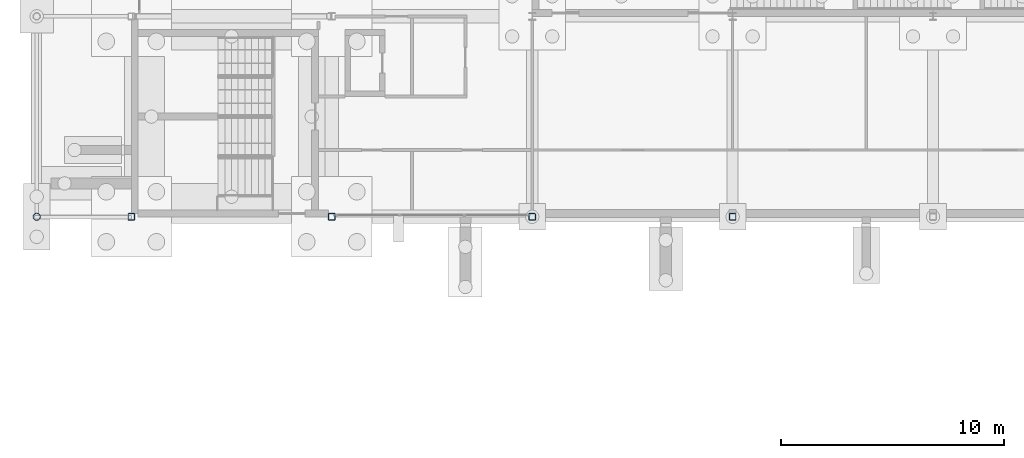
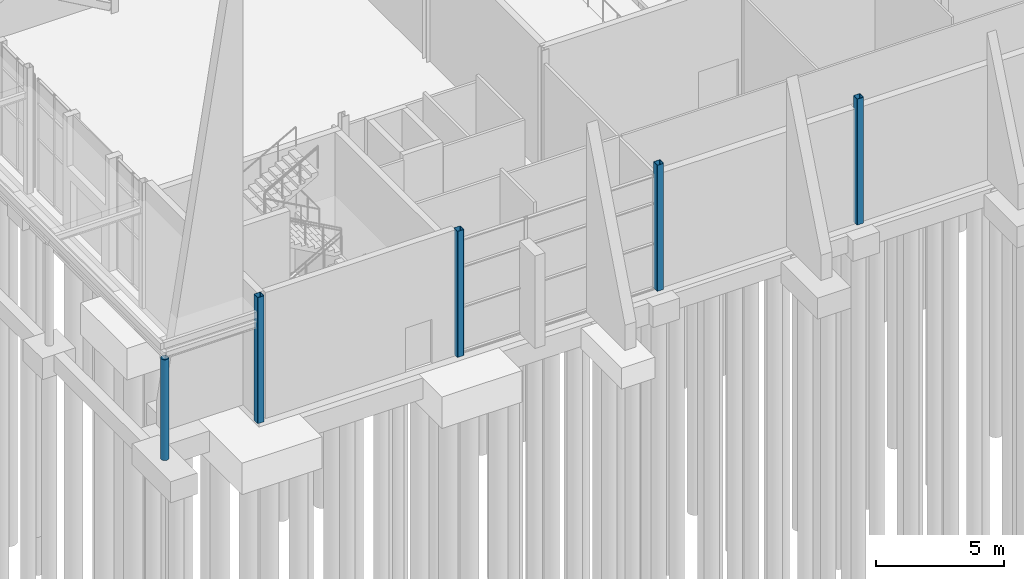
# One storey, part 17 of 139: 5 columns.
"""IFC4 building model written with IfcOpenShell, lengths in metres."""

from ifc_helpers import new_model, si_unit, direction, frame, origin, origin_2d, place, context, subcontext, project, spatial, hollow_rectangle, hollow_circle, extrude, material, material_profile, profile_set, type_object, element, save


model = new_model("IFC4")

# Units and contexts
model_context = context("Model", 3, precision=1e-05, world=origin(), true_north=direction((0.0, 1.0)))
body_context = subcontext(model_context, "Body", "Model", "MODEL_VIEW")
ifc_project = project(units=[si_unit("LENGTHUNIT", "METRE"), si_unit("AREAUNIT", "SQUARE_METRE"), si_unit("VOLUMEUNIT", "CUBIC_METRE"), si_unit("PLANEANGLEUNIT", "RADIAN"), si_unit("MASSUNIT", "GRAM", prefix="KILO")], contexts=[model_context])

# Site, building, storey
site_placement = place(None, origin())
site = spatial("IfcSite", under=ifc_project, at=site_placement, CompositionType="ELEMENT")
building_placement = place(site_placement, origin())
building = spatial("IfcBuilding", under=site, at=building_placement, Name="Shorebreak Coast Museum", CompositionType="ELEMENT")
storey_placement = place(building_placement, origin())
storey = spatial("IfcBuildingStorey", under=building, at=storey_placement, Name="L00", CompositionType="ELEMENT", Elevation=0.0)

# Columns
ifc_material_1 = material(Name="Steel Grade C350L0", Category="steel")
ifc_material_profile_1 = material_profile(ifc_material_1, hollow_circle(Radius=0.161865234375, WallThickness=0.009521484375, at=origin_2d()), Name="323.9x9.5 CHS")
ifc_profile_set_1 = profile_set([ifc_material_profile_1], Name="Steel Grade C350L0")
column_type_1 = type_object("IfcColumnType", Name="Arcade column 323.9x9.5 CHS", PredefinedType="COLUMN", material=ifc_profile_set_1)
column_placement = place(storey_placement, frame((-4.25, 54.0, -0.300048828125), z_axis=(0.0, 0.0, 1.0), x_axis=(1.0, 0.0, 0.0)))
element("IfcColumn", 1, at=column_placement, inside=storey, type_object=column_type_1, Name="Arcade column west 1", PredefinedType="COLUMN", context=body_context, shape_type="SweptSolid", body=[
    extrude(hollow_circle(Radius=0.161865234375, WallThickness=0.009521484375, at=origin_2d()), origin(), (0.0, 0.0, 1.0), 4.802001953125),
])
ifc_material_2 = material(Name="Steel Grade C450L0", Category="steel")
ifc_material_profile_2 = material_profile(ifc_material_2, hollow_rectangle(XDim=0.300048828125, YDim=0.300048828125, WallThickness=0.012451171875, InnerFilletRadius=0.018798828125, OuterFilletRadius=0.03125, at=origin_2d()), Name="300x300x12.5 SHS")
ifc_profile_set_2 = profile_set([ifc_material_profile_2], Name="Steel Grade C450L0")
column_type_2 = type_object("IfcColumnType", Name="Column 300x300x12.5 SHS", PredefinedType="COLUMN", material=ifc_profile_set_2)
for number, where, z_axis, x_axis, name in (
    (2, (0.0, 54.0, 0.0), (0.0, 0.0, 1.0), (1.0, 0.0, 0.0), "Column L00 1G"),
    (3, (9.0, 54.0, 0.0), (0.0, 0.0, 1.0), (1.0, 0.0, 0.0), "Column L00 2G"),
    (4, (18.0, 54.0, 0.0), (0.0, 0.0, 1.0), (1.0, 0.0, 0.0), "Column L00 3G"),
    (5, (27.0, 54.0, 0.0), (0.0, 0.0, 1.0), (1.0, 0.0, 0.0), "Column L00 4G"),
):
    element("IfcColumn", number, at=place(storey_placement, frame(where, z_axis=z_axis, x_axis=x_axis)), inside=storey, type_object=column_type_2, Name=name, PredefinedType="COLUMN", context=body_context, shape_type="SweptSolid", body=[
        extrude(hollow_rectangle(XDim=0.300048828125, YDim=0.300048828125, WallThickness=0.012451171875, InnerFilletRadius=0.018798828125, OuterFilletRadius=0.03125, at=origin_2d()), origin(), (0.0, 0.0, 1.0), 6.0),
    ])

save(model, "model.ifc")
